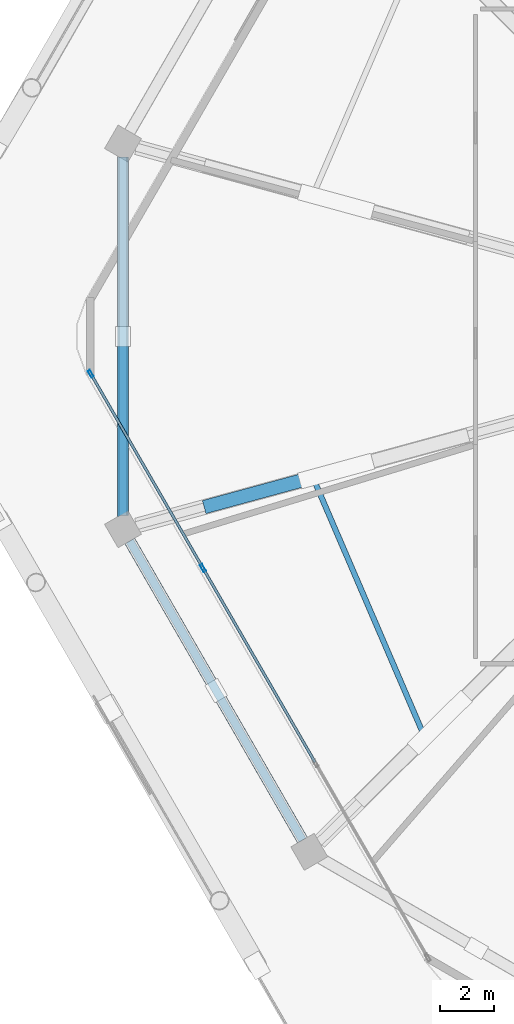
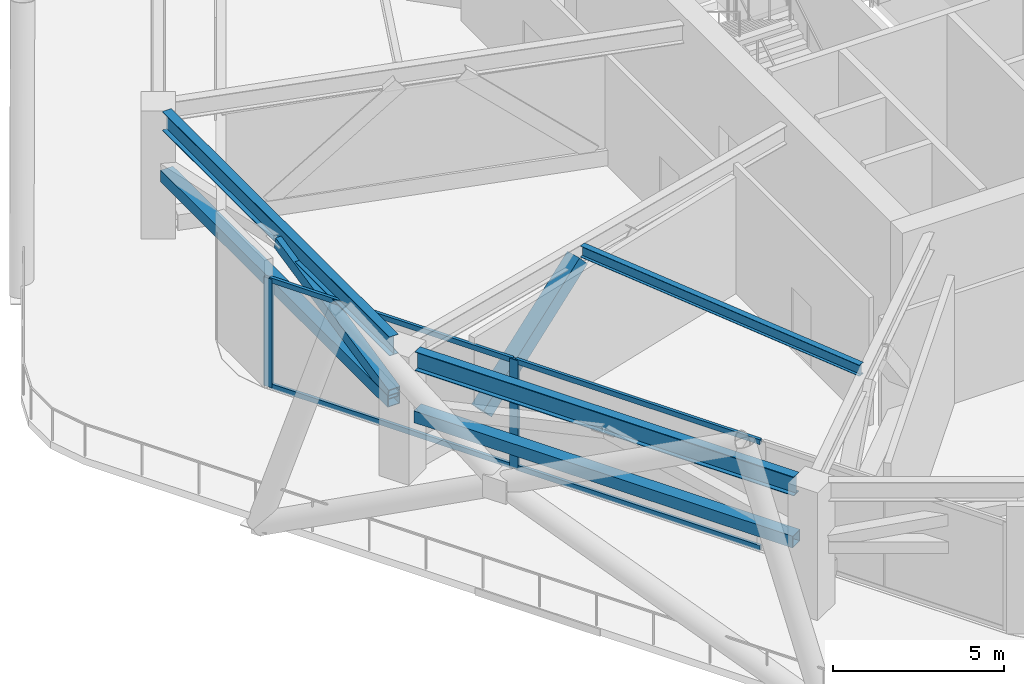
# One storey, part 4 of 20: 10 members, 3 beams, 1 element without a shape of its own.
"""IFC4 building model written with IfcOpenShell, lengths in metres."""

from ifc_helpers import new_model, si_unit, direction, frame, origin, origin_2d, place, context, subcontext, project, spatial, hollow_rectangle, i_section, extrude, material, material_profile, profile_set, type_object, element, aggregate, save


model = new_model("IFC4")

# Units and contexts
model_context = context("Model", 3, precision=1e-05, world=origin(), true_north=direction((0.0, 1.0)))
body_context = subcontext(model_context, "Body", "Model", "MODEL_VIEW")
ifc_project = project(units=[si_unit("LENGTHUNIT", "METRE"), si_unit("AREAUNIT", "SQUARE_METRE"), si_unit("VOLUMEUNIT", "CUBIC_METRE"), si_unit("PLANEANGLEUNIT", "RADIAN"), si_unit("MASSUNIT", "GRAM", prefix="KILO")], contexts=[model_context])

# Site, building, storey
site_placement = place(None, origin())
site = spatial("IfcSite", under=ifc_project, at=site_placement, CompositionType="ELEMENT")
building_placement = place(site_placement, origin())
building = spatial("IfcBuilding", under=site, at=building_placement, Name="Zuhravey Tower", CompositionType="ELEMENT")
storey_placement = place(building_placement, frame((0.0, 0.0, 145.60009765625)))
storey = spatial("IfcBuildingStorey", under=building, at=storey_placement, Name="L36", CompositionType="ELEMENT", Elevation=145.60009765625)

# Members
ifc_material_1 = material(Name="Steel SM355", Category="steel")
ifc_material_profile_1 = material_profile(ifc_material_1, hollow_rectangle(XDim=0.419921875, YDim=0.419921875, WallThickness=0.028076171875, at=origin_2d()), Name="RHS-420x420x28")
ifc_profile_set_1 = profile_set([ifc_material_profile_1], Name="Steel SM355")
member_type_1 = type_object("IfcMemberType", Name="Belt Truss Chord RHS420x420", PredefinedType="CHORD", material=ifc_profile_set_1)
member_1_placement = place(storey_placement, frame((9.892333984375, 38.62158203125, 2.27001953125), z_axis=(0.0, -1.0, 0.0), x_axis=(1.0, 0.0, 0.0)))
element("IfcMember", 1, at=member_1_placement, inside=storey, type_object=member_type_1, Name="L36 Belt Truss Bottom Chord BTC1-05", PredefinedType="CHORD", context=body_context, shape_type="SweptSolid", body=[
    extrude(hollow_rectangle(XDim=0.419921875, YDim=0.419921875, WallThickness=0.028076171875, at=origin_2d()), origin(), (0.0, 0.0, 1.0), 13.2431640625),
])
member_2_placement = place(storey_placement, frame((10.14501953125, 24.436279296875, 2.27001953125), z_axis=(0.499984807588, -0.86603417495, 0.0), x_axis=(0.86603417495, 0.499984807588, 0.0)))
element("IfcMember", 2, at=member_2_placement, inside=storey, type_object=member_type_1, Name="L36 Belt Truss Bottom Chord BTC1-06", PredefinedType="CHORD", context=body_context, shape_type="SweptSolid", body=[
    extrude(hollow_rectangle(XDim=0.419921875, YDim=0.419921875, WallThickness=0.028076171875, at=origin_2d()), origin(), (0.0, 0.0, 1.0), 12.75439453125),
])
ifc_material_profile_2 = material_profile(ifc_material_1, hollow_rectangle(XDim=0.39990234375, YDim=0.39990234375, WallThickness=0.02490234375, at=origin_2d()), Name="RHS-400x400x25")
ifc_profile_set_2 = profile_set([ifc_material_profile_2], Name="Steel SM355")
member_type_2 = type_object("IfcMemberType", Name="Belt Truss Diagonal RHS400x400", PredefinedType="BRACE", material=ifc_profile_set_2)
member_3_placement = place(storey_placement, frame((9.892333984375, 25.39306640625, 2.4931640625), z_axis=(0.0, 0.977163605411, 0.212488324995), x_axis=(-1.0, 0.0, 0.0)))
element("IfcMember", 3, at=member_3_placement, inside=storey, type_object=member_type_2, Name="L36 Belt Truss Diagonal BTD1-05.2", PredefinedType="BRACE", context=body_context, shape_type="SweptSolid", body=[
    extrude(hollow_rectangle(XDim=0.39990234375, YDim=0.39990234375, WallThickness=0.02490234375, at=origin_2d()), origin(), (0.0, 0.0, 1.0), 6.736328125),
])

# Curtain wall, members
ifc_material_2 = material(Name="Thermally broken anodised aluminium", Category="aluminium")
curtain_wall_type = type_object("IfcCurtainWallType", Name="Sky-Garden Tray Clerestory Curtain Wall CW5", PredefinedType="NOTDEFINED", material=ifc_material_2)
curtain_wall_placement = place(storey_placement, origin())
curtain_wall = element("IfcCurtainWall", 4, at=curtain_wall_placement, inside=storey, type_object=curtain_wall_type, Name="L36 CW5 CW-L36-F4-1", PredefinedType="NOTDEFINED")
ifc_material_3 = material(Name="Anodised aluminium", Category="aluminium")
ifc_material_profile_3 = material_profile(ifc_material_3, hollow_rectangle(XDim=0.10009765625, YDim=0.2900390625, WallThickness=0.006103515625, at=origin_2d()), Name="ALU-RHS-100x290x6")
ifc_profile_set_3 = profile_set([ifc_material_profile_3], Name="Anodised aluminium")
member_type_3 = type_object("IfcMemberType", Name="Heavy Tall-Storey Mullion 100x220", PredefinedType="MULLION", material=ifc_profile_set_3)
member_4_placement = place(storey_placement, frame((12.843017578125, 23.443115234375, 0.0), z_axis=(0.0, 0.0, 1.0), x_axis=(-0.866025574591, -0.499999704154, 0.0)))
member_4 = element("IfcMember", 5, at=member_4_placement, type_object=member_type_3, Name="CW5 mullion 3", PredefinedType="MULLION", context=body_context, shape_type="SweptSolid", body=[
    extrude(hollow_rectangle(XDim=0.10009765625, YDim=0.2900390625, WallThickness=0.006103515625, at=origin_2d()), origin(), (0.0, 0.0, 1.0), 3.869873046875),
])
member_5_placement = place(storey_placement, frame((8.69970703125, 30.619140625, 0.0), z_axis=(0.0, 0.0, 1.0), x_axis=(-0.866025574591, -0.499999704154, 0.0)))
member_5 = element("IfcMember", 6, at=member_5_placement, type_object=member_type_3, Name="CW5 mullion 4", PredefinedType="MULLION", context=body_context, shape_type="SweptSolid", body=[
    extrude(hollow_rectangle(XDim=0.10009765625, YDim=0.2900390625, WallThickness=0.006103515625, at=origin_2d()), origin(), (0.0, 0.0, 1.0), 3.869873046875),
])

# Member
ifc_material_4 = material(Name="Steel SM460", Category="steel")
ifc_material_profile_4 = material_profile(ifc_material_4, hollow_rectangle(XDim=0.5, YDim=0.5, WallThickness=0.031982421875, at=origin_2d()), Name="RHS-500x500x32")
ifc_profile_set_4 = profile_set([ifc_material_profile_4], Name="Steel SM460")
member_type_4 = type_object("IfcMemberType", Name="Outrigger Truss Diagonal RHS500x500", PredefinedType="BRACE", material=ifc_profile_set_4)
member_6_placement = place(storey_placement, frame((13.05029296875, 25.735595703125, 0.559814453125), z_axis=(0.72669851559, 0.198333535266, 0.65770287838), x_axis=(-0.263294134222, 0.964715605183, 0.0)))
element("IfcMember", 7, at=member_6_placement, inside=storey, type_object=member_type_4, Name="L36 Outrigger Diagonal OTD1-05.2", PredefinedType="BRACE", context=body_context, shape_type="SweptSolid", body=[
    extrude(hollow_rectangle(XDim=0.5, YDim=0.5, WallThickness=0.031982421875, at=origin_2d()), origin(), (0.0, 0.0, 1.0), 5.27587890625),
])

# Beams
ifc_material_profile_5 = material_profile(ifc_material_1, i_section(OverallWidth=0.300048828125, OverallDepth=0.679931640625, WebThickness=0.012939453125, FlangeThickness=0.02197265625, at=origin_2d()), Name="H-680x300x13x22")
ifc_profile_set_5 = profile_set([ifc_material_profile_5], Name="Steel SM355")
beam_type_1 = type_object("IfcBeamType", Name="Perimeter Ring Beam H680x300", PredefinedType="BEAM", material=ifc_profile_set_5)
beam_1_placement = place(storey_placement, frame((9.892333984375, 38.62353515625, 4.2099609375), z_axis=(0.0, -1.0, 0.0), x_axis=(1.0, 0.0, 0.0)))
element("IfcBeam", 8, at=beam_1_placement, inside=storey, type_object=beam_type_1, Name="L36 PB2 BM-L36-PB-06", PredefinedType="BEAM", context=body_context, shape_type="SweptSolid", body=[
    extrude(i_section(OverallWidth=0.300048828125, OverallDepth=0.679931640625, WebThickness=0.012939453125, FlangeThickness=0.02197265625, at=origin_2d()), origin(), (0.0, 0.0, 1.0), 13.2470703125),
])
beam_2_placement = place(storey_placement, frame((10.143798828125, 24.43798828125, 4.2099609375), z_axis=(0.499997974489, -0.866026573211, 0.0), x_axis=(0.866026573211, 0.499997974489, 0.0)))
element("IfcBeam", 9, at=beam_2_placement, inside=storey, type_object=beam_type_1, Name="L36 PB2 BM-L36-PB-07", PredefinedType="BEAM", context=body_context, shape_type="SweptSolid", body=[
    extrude(i_section(OverallWidth=0.300048828125, OverallDepth=0.679931640625, WebThickness=0.012939453125, FlangeThickness=0.02197265625, at=origin_2d()), origin(), (0.0, 0.0, 1.0), 12.75830078125),
])
ifc_material_profile_6 = material_profile(ifc_material_1, i_section(OverallWidth=0.199951171875, OverallDepth=0.39990234375, WebThickness=0.008056640625, FlangeThickness=0.012939453125, at=origin_2d()), Name="H-400x200x8x13")
ifc_profile_set_6 = profile_set([ifc_material_profile_6], Name="Steel SM355")
beam_type_2 = type_object("IfcBeamType", Name="Secondary Floor Joist H400x200", PredefinedType="JOIST", material=ifc_profile_set_6)
beam_3_placement = place(storey_placement, frame((16.970458984375, 26.6474609375, 4.349853515625), z_axis=(0.395265853487, -0.918566766799, 0.0), x_axis=(0.918566766799, 0.395265853487, 0.0)))
element("IfcBeam", 10, at=beam_3_placement, inside=storey, type_object=beam_type_2, Name="L36 SJ2 BM-L36-SJ-07-1", PredefinedType="JOIST", context=body_context, shape_type="SweptSolid", body=[
    extrude(i_section(OverallWidth=0.199951171875, OverallDepth=0.39990234375, WebThickness=0.008056640625, FlangeThickness=0.012939453125, at=origin_2d()), origin(), (0.0, 0.0, 1.0), 10.150146484375),
])

# Member
ifc_material_profile_7 = material_profile(ifc_material_3, hollow_rectangle(XDim=0.10009765625, YDim=0.179931640625, WallThickness=0.006103515625, at=origin_2d()), Name="ALU-RHS-100x180x6")
ifc_profile_set_7 = profile_set([ifc_material_profile_7], Name="Anodised aluminium")
member_type_5 = type_object("IfcMemberType", Name="Tall-Storey Transom 100x180", PredefinedType="USERDEFINED", material=ifc_profile_set_7)
member_7_placement = place(storey_placement, frame((16.986083984375, 16.26708984375, 0.0498046875), z_axis=(-0.50000299093, 0.866023676963, 0.0), x_axis=(-0.866023676963, -0.50000299093, 0.0)))
member_7 = element("IfcMember", 11, at=member_7_placement, type_object=member_type_5, Name="CW5 transom 2.1", ObjectType="TRANSOM", PredefinedType="USERDEFINED", context=body_context, shape_type="SweptSolid", body=[
    extrude(hollow_rectangle(XDim=0.10009765625, YDim=0.179931640625, WallThickness=0.006103515625, at=origin_2d()), origin(), (0.0, 0.0, 1.0), 8.236328125),
])

member_8_placement = place(storey_placement, frame((16.986083984375, 16.26708984375, 3.81982421875), z_axis=(-0.50000299093, 0.866023676963, 0.0), x_axis=(-0.866023676963, -0.50000299093, 0.0)))
member_8 = element("IfcMember", 12, at=member_8_placement, type_object=member_type_5, Name="CW5 transom 2.2", ObjectType="TRANSOM", PredefinedType="USERDEFINED", context=body_context, shape_type="SweptSolid", body=[
    extrude(hollow_rectangle(XDim=0.10009765625, YDim=0.179931640625, WallThickness=0.006103515625, at=origin_2d()), origin(), (0.0, 0.0, 1.0), 8.236328125),
])

member_9_placement = place(storey_placement, frame((12.81787109375, 23.486328125, 0.0498046875), z_axis=(-0.499984913882, 0.866034113583, 0.0), x_axis=(-0.866034113583, -0.499984913882, 0.0)))
member_9 = element("IfcMember", 13, at=member_9_placement, type_object=member_type_5, Name="CW5 transom 3.1", ObjectType="TRANSOM", PredefinedType="USERDEFINED", context=body_context, shape_type="SweptSolid", body=[
    extrude(hollow_rectangle(XDim=0.10009765625, YDim=0.179931640625, WallThickness=0.006103515625, at=origin_2d()), origin(), (0.0, 0.0, 1.0), 8.186279296875),
])

member_10_placement = place(storey_placement, frame((12.81787109375, 23.486328125, 3.81982421875), z_axis=(-0.499984913882, 0.866034113583, 0.0), x_axis=(-0.866034113583, -0.499984913882, 0.0)))
member_10 = element("IfcMember", 14, at=member_10_placement, type_object=member_type_5, Name="CW5 transom 3.2", ObjectType="TRANSOM", PredefinedType="USERDEFINED", context=body_context, shape_type="SweptSolid", body=[
    extrude(hollow_rectangle(XDim=0.10009765625, YDim=0.179931640625, WallThickness=0.006103515625, at=origin_2d()), origin(), (0.0, 0.0, 1.0), 8.186279296875),
])

aggregate(curtain_wall, [member_4, member_5, member_7, member_8, member_9, member_10])

save(model, "model.ifc")
